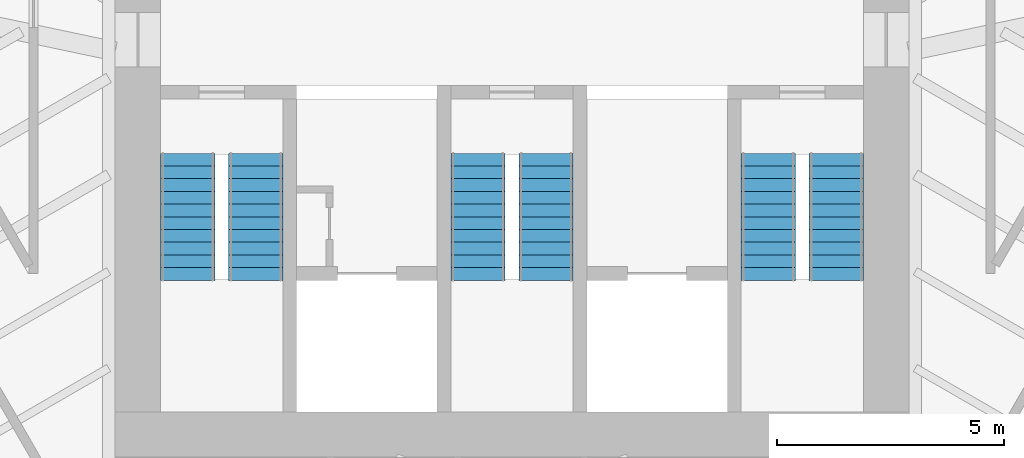
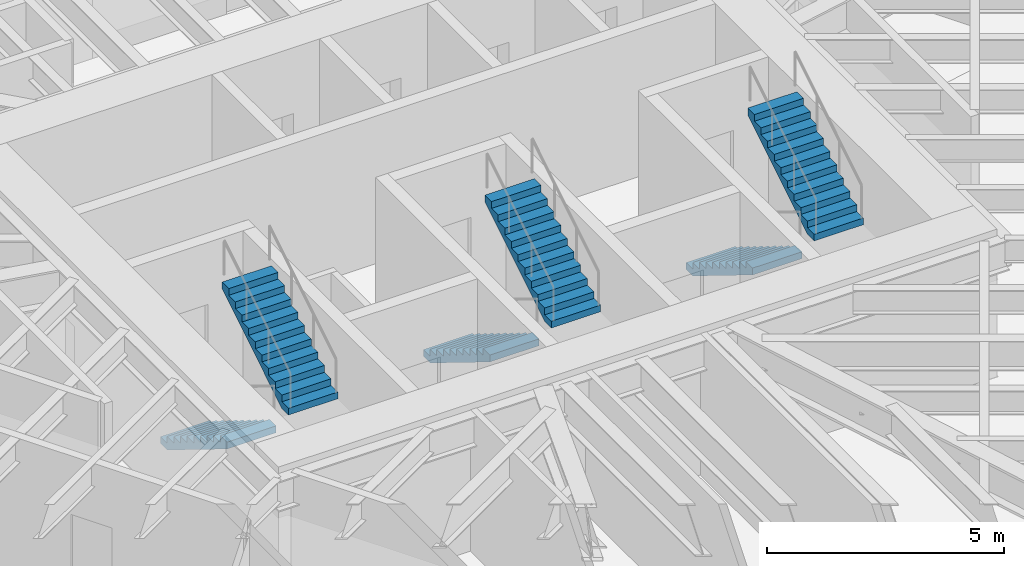
# One storey, part 15 of 16: 6 stair flights, 3 elements without a shape of their own.
"""IFC4 building model written with IfcOpenShell, lengths in metres."""

from ifc_helpers import new_model, si_unit, direction, frame, origin, place, context, subcontext, project, spatial, polyline, outline, extrude, material, type_object, element, aggregate, save


model = new_model("IFC4")

# Units and contexts
model_context = context("Model", 3, precision=1e-05, world=origin(), true_north=direction((0.0, 1.0)))
body_context = subcontext(model_context, "Body", "Model", "MODEL_VIEW")
ifc_project = project(units=[si_unit("LENGTHUNIT", "METRE"), si_unit("AREAUNIT", "SQUARE_METRE"), si_unit("VOLUMEUNIT", "CUBIC_METRE"), si_unit("PLANEANGLEUNIT", "RADIAN"), si_unit("MASSUNIT", "GRAM", prefix="KILO")], contexts=[model_context])

# Site, building, storey
site_placement = place(None, origin())
site = spatial("IfcSite", under=ifc_project, at=site_placement, CompositionType="ELEMENT")
building_placement = place(site_placement, origin())
building = spatial("IfcBuilding", under=site, at=building_placement, Name="Sandreach Pilgrim Tower", CompositionType="ELEMENT")
storey_placement = place(building_placement, frame((0.0, 0.0, 225.0)))
storey = spatial("IfcBuildingStorey", under=building, at=storey_placement, Name="L56", CompositionType="ELEMENT", Elevation=225.0)

# Stair, stair flights
ifc_material_1 = material(Name="Concrete 8000 psi", Category="concrete")
stair_type = type_object("IfcStairType", Name="Core exit stair", PredefinedType="HALF_TURN_STAIR", material=ifc_material_1)
stair_1_placement = place(storey_placement, origin())
stair_1 = element("IfcStair", 1, at=stair_1_placement, inside=storey, type_object=stair_type, Name="Exit stair ST1 L56", PredefinedType="HALF_TURN_STAIR")
ifc_material_2 = material(Name="Concrete 8000 psi", Category="concrete")
stair_flight_type = type_object("IfcStairFlightType", Name="Core stair flight 1200", PredefinedType="STRAIGHT", material=ifc_material_2)
stair_flight_1_placement = place(storey_placement, frame((-7.14990234375, -0.39990234375, 0.0), z_axis=(0.0, 0.0, 1.0), x_axis=(0.0, -1.0, 0.0)))
stair_flight_1 = element("IfcStairFlight", 2, at=stair_flight_1_placement, type_object=stair_flight_type, Name="ST1 flight 1", NumberOfRisers=11, NumberOfTreads=10, PredefinedType="STRAIGHT", RiserHeight=0.172727273, TreadLength=0.28, context=body_context, shape_type="SweptSolid", body=[
    extrude(outline(polyline([(0.0, 0.0), (0.0, 0.172607421875), (0.280029296875, 0.172607421875), (0.280029296875, 0.345458984375), (0.56005859375, 0.345458984375), (0.56005859375, 0.51806640625), (0.840087890625, 0.51806640625), (0.840087890625, 0.69091796875), (1.1201171875, 0.69091796875), (1.1201171875, 0.863525390625), (1.39990234375, 0.863525390625), (1.39990234375, 1.036376953125), (1.679931640625, 1.036376953125), (1.679931640625, 1.208984375), (1.9599609375, 1.208984375), (1.9599609375, 1.3818359375), (2.239990234375, 1.3818359375), (2.239990234375, 1.554443359375), (2.52001953125, 1.554443359375), (2.52001953125, 1.727294921875), (2.800048828125, 1.727294921875), (2.800048828125, 1.89990234375), (2.800048828125, 1.551025390625), (0.285400390625, 0.0), (0.0, 0.0)])), frame((0.0, 0.60009765625, 0.0), z_axis=(0.0, -1.0, 0.0), x_axis=(1.0, 0.0, 0.0)), (0.0, 0.0, 1.0), 1.199951171875),
])
stair_flight_2_placement = place(storey_placement, frame((-5.64990234375, -3.199951171875, 1.89990234375), z_axis=(0.0, 0.0, 1.0), x_axis=(0.0, 1.0, 0.0)))
stair_flight_2 = element("IfcStairFlight", 3, at=stair_flight_2_placement, type_object=stair_flight_type, Name="ST1 flight 2", NumberOfRisers=11, NumberOfTreads=10, PredefinedType="STRAIGHT", RiserHeight=0.172727273, TreadLength=0.28, context=body_context, shape_type="SweptSolid", body=[
    extrude(outline(polyline([(0.0, 0.0), (0.0, 0.172607421875), (0.280029296875, 0.172607421875), (0.280029296875, 0.345458984375), (0.56005859375, 0.345458984375), (0.56005859375, 0.51806640625), (0.840087890625, 0.51806640625), (0.840087890625, 0.69091796875), (1.1201171875, 0.69091796875), (1.1201171875, 0.863525390625), (1.39990234375, 0.863525390625), (1.39990234375, 1.036376953125), (1.679931640625, 1.036376953125), (1.679931640625, 1.208984375), (1.9599609375, 1.208984375), (1.9599609375, 1.3818359375), (2.239990234375, 1.3818359375), (2.239990234375, 1.554443359375), (2.52001953125, 1.554443359375), (2.52001953125, 1.727294921875), (2.800048828125, 1.727294921875), (2.800048828125, 1.89990234375), (2.800048828125, 1.551025390625), (0.285400390625, 0.0), (0.0, 0.0)])), frame((0.0, 0.60009765625, 0.0), z_axis=(0.0, -1.0, 0.0), x_axis=(1.0, 0.0, 0.0)), (0.0, 0.0, 1.0), 1.199951171875),
])
aggregate(stair_1, [stair_flight_1, stair_flight_2])

stair_2_placement = place(storey_placement, origin())
stair_2 = element("IfcStair", 4, at=stair_2_placement, inside=storey, type_object=stair_type, Name="Exit stair ST3 L56", PredefinedType="HALF_TURN_STAIR")
stair_flight_3_placement = place(storey_placement, frame((-0.75, -0.39990234375, 0.0), z_axis=(0.0, 0.0, 1.0), x_axis=(0.0, -1.0, 0.0)))
stair_flight_3 = element("IfcStairFlight", 5, at=stair_flight_3_placement, type_object=stair_flight_type, Name="ST3 flight 1", NumberOfRisers=11, NumberOfTreads=10, PredefinedType="STRAIGHT", RiserHeight=0.172727273, TreadLength=0.28, context=body_context, shape_type="SweptSolid", body=[
    extrude(outline(polyline([(0.0, 0.0), (0.0, 0.172607421875), (0.280029296875, 0.172607421875), (0.280029296875, 0.345458984375), (0.56005859375, 0.345458984375), (0.56005859375, 0.51806640625), (0.840087890625, 0.51806640625), (0.840087890625, 0.69091796875), (1.1201171875, 0.69091796875), (1.1201171875, 0.863525390625), (1.39990234375, 0.863525390625), (1.39990234375, 1.036376953125), (1.679931640625, 1.036376953125), (1.679931640625, 1.208984375), (1.9599609375, 1.208984375), (1.9599609375, 1.3818359375), (2.239990234375, 1.3818359375), (2.239990234375, 1.554443359375), (2.52001953125, 1.554443359375), (2.52001953125, 1.727294921875), (2.800048828125, 1.727294921875), (2.800048828125, 1.89990234375), (2.800048828125, 1.551025390625), (0.285400390625, 0.0), (0.0, 0.0)])), frame((0.0, 0.60009765625, 0.0), z_axis=(0.0, -1.0, 0.0), x_axis=(1.0, 0.0, 0.0)), (0.0, 0.0, 1.0), 1.199951171875),
])
stair_flight_4_placement = place(storey_placement, frame((0.75, -3.199951171875, 1.89990234375), z_axis=(0.0, 0.0, 1.0), x_axis=(0.0, 1.0, 0.0)))
stair_flight_4 = element("IfcStairFlight", 6, at=stair_flight_4_placement, type_object=stair_flight_type, Name="ST3 flight 2", NumberOfRisers=11, NumberOfTreads=10, PredefinedType="STRAIGHT", RiserHeight=0.172727273, TreadLength=0.28, context=body_context, shape_type="SweptSolid", body=[
    extrude(outline(polyline([(0.0, 0.0), (0.0, 0.172607421875), (0.280029296875, 0.172607421875), (0.280029296875, 0.345458984375), (0.56005859375, 0.345458984375), (0.56005859375, 0.51806640625), (0.840087890625, 0.51806640625), (0.840087890625, 0.69091796875), (1.1201171875, 0.69091796875), (1.1201171875, 0.863525390625), (1.39990234375, 0.863525390625), (1.39990234375, 1.036376953125), (1.679931640625, 1.036376953125), (1.679931640625, 1.208984375), (1.9599609375, 1.208984375), (1.9599609375, 1.3818359375), (2.239990234375, 1.3818359375), (2.239990234375, 1.554443359375), (2.52001953125, 1.554443359375), (2.52001953125, 1.727294921875), (2.800048828125, 1.727294921875), (2.800048828125, 1.89990234375), (2.800048828125, 1.551025390625), (0.285400390625, 0.0), (0.0, 0.0)])), frame((0.0, 0.60009765625, 0.0), z_axis=(0.0, -1.0, 0.0), x_axis=(1.0, 0.0, 0.0)), (0.0, 0.0, 1.0), 1.199951171875),
])
aggregate(stair_2, [stair_flight_3, stair_flight_4])

stair_3_placement = place(storey_placement, origin())
stair_3 = element("IfcStair", 7, at=stair_3_placement, inside=storey, type_object=stair_type, Name="Exit stair ST2 L56", PredefinedType="HALF_TURN_STAIR")
stair_flight_5_placement = place(storey_placement, frame((5.64990234375, -0.39990234375, 0.0), z_axis=(0.0, 0.0, 1.0), x_axis=(0.0, -1.0, 0.0)))
stair_flight_5 = element("IfcStairFlight", 8, at=stair_flight_5_placement, type_object=stair_flight_type, Name="ST2 flight 1", NumberOfRisers=11, NumberOfTreads=10, PredefinedType="STRAIGHT", RiserHeight=0.172727273, TreadLength=0.28, context=body_context, shape_type="SweptSolid", body=[
    extrude(outline(polyline([(0.0, 0.0), (0.0, 0.172607421875), (0.280029296875, 0.172607421875), (0.280029296875, 0.345458984375), (0.56005859375, 0.345458984375), (0.56005859375, 0.51806640625), (0.840087890625, 0.51806640625), (0.840087890625, 0.69091796875), (1.1201171875, 0.69091796875), (1.1201171875, 0.863525390625), (1.39990234375, 0.863525390625), (1.39990234375, 1.036376953125), (1.679931640625, 1.036376953125), (1.679931640625, 1.208984375), (1.9599609375, 1.208984375), (1.9599609375, 1.3818359375), (2.239990234375, 1.3818359375), (2.239990234375, 1.554443359375), (2.52001953125, 1.554443359375), (2.52001953125, 1.727294921875), (2.800048828125, 1.727294921875), (2.800048828125, 1.89990234375), (2.800048828125, 1.551025390625), (0.285400390625, 0.0), (0.0, 0.0)])), frame((0.0, 0.60009765625, 0.0), z_axis=(0.0, -1.0, 0.0), x_axis=(1.0, 0.0, 0.0)), (0.0, 0.0, 1.0), 1.199951171875),
])
stair_flight_6_placement = place(storey_placement, frame((7.14990234375, -3.199951171875, 1.89990234375), z_axis=(0.0, 0.0, 1.0), x_axis=(0.0, 1.0, 0.0)))
stair_flight_6 = element("IfcStairFlight", 9, at=stair_flight_6_placement, type_object=stair_flight_type, Name="ST2 flight 2", NumberOfRisers=11, NumberOfTreads=10, PredefinedType="STRAIGHT", RiserHeight=0.172727273, TreadLength=0.28, context=body_context, shape_type="SweptSolid", body=[
    extrude(outline(polyline([(0.0, 0.0), (0.0, 0.172607421875), (0.280029296875, 0.172607421875), (0.280029296875, 0.345458984375), (0.56005859375, 0.345458984375), (0.56005859375, 0.51806640625), (0.840087890625, 0.51806640625), (0.840087890625, 0.69091796875), (1.1201171875, 0.69091796875), (1.1201171875, 0.863525390625), (1.39990234375, 0.863525390625), (1.39990234375, 1.036376953125), (1.679931640625, 1.036376953125), (1.679931640625, 1.208984375), (1.9599609375, 1.208984375), (1.9599609375, 1.3818359375), (2.239990234375, 1.3818359375), (2.239990234375, 1.554443359375), (2.52001953125, 1.554443359375), (2.52001953125, 1.727294921875), (2.800048828125, 1.727294921875), (2.800048828125, 1.89990234375), (2.800048828125, 1.551025390625), (0.285400390625, 0.0), (0.0, 0.0)])), frame((0.0, 0.60009765625, 0.0), z_axis=(0.0, -1.0, 0.0), x_axis=(1.0, 0.0, 0.0)), (0.0, 0.0, 1.0), 1.199951171875),
])
aggregate(stair_3, [stair_flight_5, stair_flight_6])

save(model, "model.ifc")
